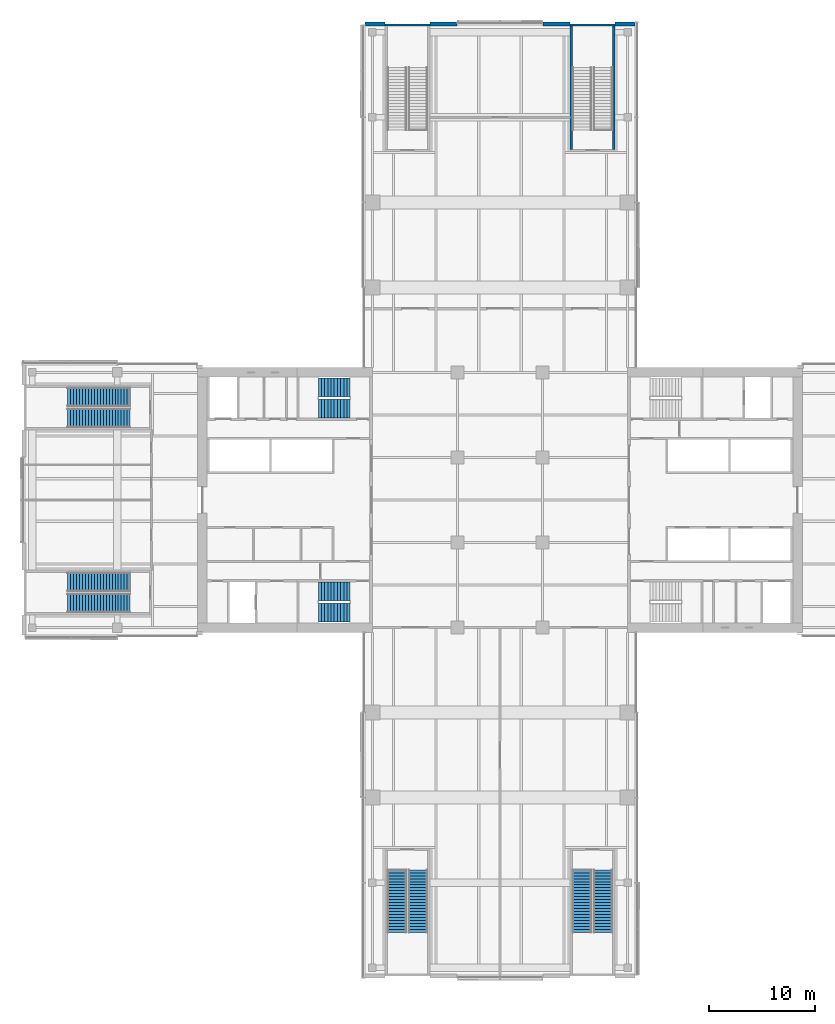
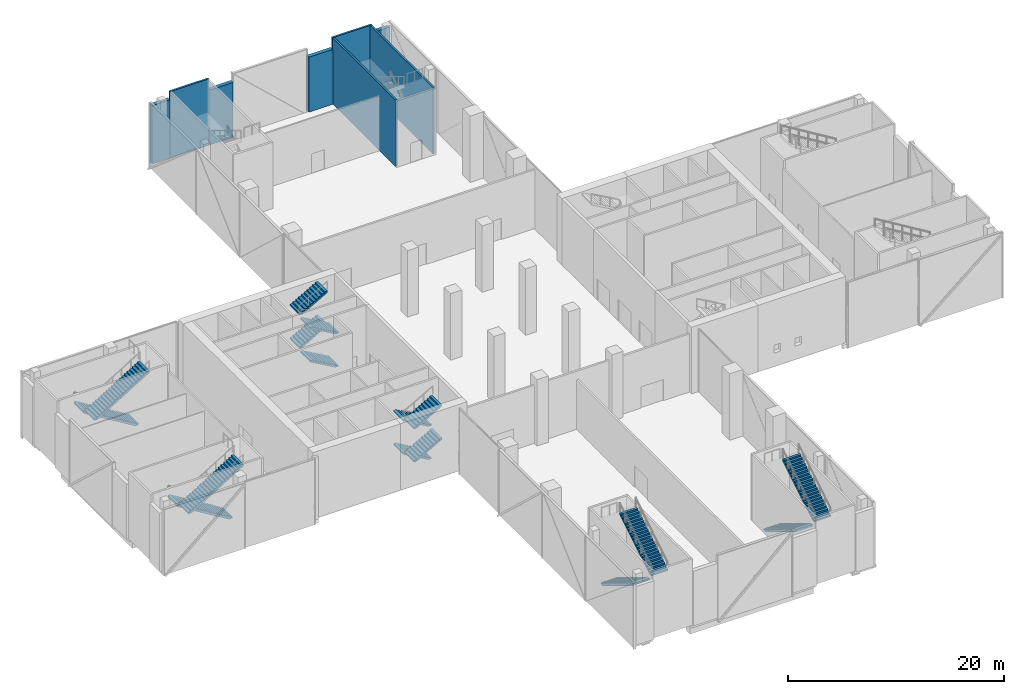
# One storey, part 18 of 25: 16 stair flights, 8 walls, 6 elements without a shape of their own.
"""IFC4 building model written with IfcOpenShell, lengths in metres."""

from ifc_helpers import new_model, si_unit, direction, frame, frame_2d, origin, place, context, subcontext, project, spatial, polyline, rectangle, outline, extrude, material, layer, layer_set, type_object, element, aggregate, save


model = new_model("IFC4")

# Units and contexts
model_context = context("Model", 3, precision=1e-05, world=origin(), true_north=direction((0.0, 1.0)))
body_context = subcontext(model_context, "Body", "Model", "MODEL_VIEW")
ifc_project = project(units=[si_unit("LENGTHUNIT", "METRE"), si_unit("AREAUNIT", "SQUARE_METRE"), si_unit("VOLUMEUNIT", "CUBIC_METRE"), si_unit("PLANEANGLEUNIT", "RADIAN"), si_unit("MASSUNIT", "GRAM", prefix="KILO")], contexts=[model_context])

# Site, building, storey
site_placement = place(None, origin())
site = spatial("IfcSite", under=ifc_project, at=site_placement, CompositionType="ELEMENT")
building_placement = place(site_placement, origin())
building = spatial("IfcBuilding", under=site, at=building_placement, Name="Crosswind Convention Tower", CompositionType="ELEMENT")
storey_placement = place(building_placement, frame((0.0, 0.0, 34.0)))
storey = spatial("IfcBuildingStorey", under=building, at=storey_placement, Name="L04", CompositionType="ELEMENT", Elevation=34.0)

# Walls
ifc_material_1 = material(Name="Concrete C40/50", Category="concrete")
ifc_layer_1 = layer(ifc_material_1, 0.199951171875)
ifc_layer_set_1 = layer_set([ifc_layer_1], Name="Concrete C40/50")
wall_type_1 = type_object("IfcWallType", Name="STAIR ENCLOSURE WALL 200", PredefinedType="SOLIDWALL", material=ifc_layer_set_1)
for number, where, z_axis, x_axis, name in (
    (1, (114.199951171875, 144.699951171875, 0.0), (0.0, 0.0, 1.0), (1.0, 0.0, 0.0), "Stair Enclosure Wall 23"),
    (2, (131.60009765625, 144.699951171875, 0.0), (0.0, 0.0, 1.0), (1.0, 0.0, 0.0), "Stair Enclosure Wall 24"),
):
    element("IfcWall", number, at=place(storey_placement, frame(where, z_axis=z_axis, x_axis=x_axis)), inside=storey, type_object=wall_type_1, Name=name, PredefinedType="SOLIDWALL", context=body_context, shape_type="SweptSolid", body=[
        extrude(rectangle(XDim=4.199951171875, YDim=0.199951171875, at=frame_2d((2.10009765625, 0.0))), origin(), (0.0, 0.0, 1.0), 7.5),
    ])
for number, where, z_axis, x_axis, name in (
    (3, (131.699951171875, 133.0, 0.0), (0.0, 0.0, 1.0), (0.0, 1.0, 0.0), "Stair Enclosure Wall 36"),
    (4, (135.699951171875, 133.0, 0.0), (0.0, 0.0, 1.0), (0.0, 1.0, 0.0), "Stair Enclosure Wall 38"),
):
    element("IfcWall", number, at=place(storey_placement, frame(where, z_axis=z_axis, x_axis=x_axis)), inside=storey, type_object=wall_type_1, Name=name, PredefinedType="SOLIDWALL", context=body_context, shape_type="SweptSolid", body=[
        extrude(rectangle(XDim=11.60009765625, YDim=0.199951171875, at=frame_2d((5.800048828125, 0.0))), origin(), (0.0, 0.0, 1.0), 7.5),
    ])
ifc_material_2 = material(Name="Terracotta rainscreen", Category="ceramic")
ifc_layer_2 = layer(ifc_material_2, 0.02001953125)
ifc_material_3 = material(Name="Mineral wool insulation", Category="insulation")
ifc_layer_3 = layer(ifc_material_3, 0.10009765625)
ifc_material_4 = material(Name="Concrete blockwork", Category="masonry")
ifc_layer_4 = layer(ifc_material_4, 0.280029296875)
ifc_layer_set_2 = layer_set([ifc_layer_2, ifc_layer_3, ifc_layer_4], Name="TERRACOTTA INFILL WALL 400")
wall_type_2 = type_object("IfcWallType", Name="TERRACOTTA INFILL WALL 400", PredefinedType="SOLIDWALL", material=ifc_layer_set_2)
wall_1_placement = place(storey_placement, frame((137.699951171875, 144.784912109375, 0.0), z_axis=(0.0, 0.0, 1.0), x_axis=(-1.0, 0.0, 0.0)))
element("IfcWall", 5, at=wall_1_placement, inside=storey, type_object=wall_type_2, Name="Stair enclosure side wall L04 N-TIP.1-1.1", PredefinedType="SOLIDWALL", context=body_context, shape_type="SweptSolid", body=[
    extrude(rectangle(XDim=1.89990234375, YDim=0.39990234375, at=frame_2d((0.949951171875, 0.0))), origin(), (0.0, 0.0, 1.0), 6.60009765625),
])
for number, where, z_axis, x_axis, name in (
    (6, (131.60009765625, 144.784912109375, 0.0), (0.0, 0.0, 1.0), (-1.0, 0.0, 0.0), "Stair enclosure side wall L04 N-TIP.1-1.2"),
    (7, (120.9599609375, 144.784912109375, 0.0), (0.0, 0.0, 1.0), (-1.0, 0.0, 0.0), "Stair enclosure side wall L04 N-TIP.1-3.1"),
):
    element("IfcWall", number, at=place(storey_placement, frame(where, z_axis=z_axis, x_axis=x_axis)), inside=storey, type_object=wall_type_2, Name=name, PredefinedType="SOLIDWALL", context=body_context, shape_type="SweptSolid", body=[
        extrude(rectangle(XDim=2.56005859375, YDim=0.39990234375, at=frame_2d((1.280029296875, 0.0))), origin(), (0.0, 0.0, 1.0), 6.199951171875),
    ])
wall_2_placement = place(storey_placement, frame((114.199951171875, 144.784912109375, 0.0), z_axis=(0.0, 0.0, 1.0), x_axis=(-1.0, 0.0, 0.0)))
element("IfcWall", 8, at=wall_2_placement, inside=storey, type_object=wall_type_2, Name="Stair enclosure side wall L04 N-TIP.1-3.2", PredefinedType="SOLIDWALL", context=body_context, shape_type="SweptSolid", body=[
    extrude(rectangle(XDim=1.89990234375, YDim=0.39990234375, at=frame_2d((0.949951171875, 0.0))), origin(), (0.0, 0.0, 1.0), 6.60009765625),
])

# Stair, stair flights
stair_type_1 = type_object("IfcStairType", Name="PODIUM EXIT STAIR 7500 RISE", PredefinedType="HALF_TURN_STAIR", material=ifc_material_1)
stair_1_placement = place(storey_placement, origin())
stair_1 = element("IfcStair", 9, at=stair_1_placement, inside=storey, type_object=stair_type_1, Name="Exit stair S1 L04", ObjectType="ST11", PredefinedType="HALF_TURN_STAIR")
stair_flight_type_1 = type_object("IfcStairFlightType", Name="PODIUM STAIR FLIGHT 22 RISERS", PredefinedType="STRAIGHT", material=ifc_material_1)
stair_flight_1_placement = place(storey_placement, frame((115.300048828125, 65.199951171875, 0.0), z_axis=(0.0, 0.0, 1.0), x_axis=(0.0, -1.0, 0.0)))
stair_flight_1 = element("IfcStairFlight", 10, at=stair_flight_1_placement, type_object=stair_flight_type_1, Name="ST11 flight 1", NumberOfRisers=22, NumberOfTreads=21, PredefinedType="STRAIGHT", RiserHeight=0.170455, TreadLength=0.28, context=body_context, shape_type="SweptSolid", body=[
    extrude(outline(polyline([(0.0, 0.0), (0.0, 0.17041015625), (0.280029296875, 0.17041015625), (0.280029296875, 0.3408203125), (0.56005859375, 0.3408203125), (0.56005859375, 0.511474609375), (0.840087890625, 0.511474609375), (0.840087890625, 0.681884765625), (1.1201171875, 0.681884765625), (1.1201171875, 0.852294921875), (1.39990234375, 0.852294921875), (1.39990234375, 1.022705078125), (1.679931640625, 1.022705078125), (1.679931640625, 1.193115234375), (1.9599609375, 1.193115234375), (1.9599609375, 1.363525390625), (2.239990234375, 1.363525390625), (2.239990234375, 1.5341796875), (2.52001953125, 1.5341796875), (2.52001953125, 1.70458984375), (2.800048828125, 1.70458984375), (2.800048828125, 1.875), (3.080078125, 1.875), (3.080078125, 2.04541015625), (3.360107421875, 2.04541015625), (3.360107421875, 2.2158203125), (3.639892578125, 2.2158203125), (3.639892578125, 2.386474609375), (3.919921875, 2.386474609375), (3.919921875, 2.556884765625), (4.199951171875, 2.556884765625), (4.199951171875, 2.727294921875), (4.47998046875, 2.727294921875), (4.47998046875, 2.897705078125), (4.760009765625, 2.897705078125), (4.760009765625, 3.068115234375), (5.0400390625, 3.068115234375), (5.0400390625, 3.238525390625), (5.320068359375, 3.238525390625), (5.320068359375, 3.4091796875), (5.60009765625, 3.4091796875), (5.60009765625, 3.57958984375), (5.8798828125, 3.57958984375), (5.8798828125, 3.75), (5.8798828125, 3.345458984375), (0.384521484375, 0.0), (0.0, 0.0)])), frame((0.0, 0.89990234375, 0.0), z_axis=(0.0, -1.0, 0.0), x_axis=(1.0, 0.0, 0.0)), (0.0, 0.0, 1.0), 1.800048828125),
])
stair_flight_2_placement = place(storey_placement, frame((117.300048828125, 59.320068359375, 3.75), z_axis=(0.0, 0.0, 1.0), x_axis=(0.0, 1.0, 0.0)))
stair_flight_2 = element("IfcStairFlight", 11, at=stair_flight_2_placement, type_object=stair_flight_type_1, Name="ST11 flight 2", NumberOfRisers=22, NumberOfTreads=21, PredefinedType="STRAIGHT", RiserHeight=0.170455, TreadLength=0.28, context=body_context, shape_type="SweptSolid", body=[
    extrude(outline(polyline([(0.0, 0.0), (0.0, 0.17041015625), (0.280029296875, 0.17041015625), (0.280029296875, 0.3408203125), (0.56005859375, 0.3408203125), (0.56005859375, 0.511474609375), (0.840087890625, 0.511474609375), (0.840087890625, 0.681884765625), (1.1201171875, 0.681884765625), (1.1201171875, 0.852294921875), (1.39990234375, 0.852294921875), (1.39990234375, 1.022705078125), (1.679931640625, 1.022705078125), (1.679931640625, 1.193115234375), (1.9599609375, 1.193115234375), (1.9599609375, 1.363525390625), (2.239990234375, 1.363525390625), (2.239990234375, 1.5341796875), (2.52001953125, 1.5341796875), (2.52001953125, 1.70458984375), (2.800048828125, 1.70458984375), (2.800048828125, 1.875), (3.080078125, 1.875), (3.080078125, 2.04541015625), (3.360107421875, 2.04541015625), (3.360107421875, 2.2158203125), (3.639892578125, 2.2158203125), (3.639892578125, 2.386474609375), (3.919921875, 2.386474609375), (3.919921875, 2.556884765625), (4.199951171875, 2.556884765625), (4.199951171875, 2.727294921875), (4.47998046875, 2.727294921875), (4.47998046875, 2.897705078125), (4.760009765625, 2.897705078125), (4.760009765625, 3.068115234375), (5.0400390625, 3.068115234375), (5.0400390625, 3.238525390625), (5.320068359375, 3.238525390625), (5.320068359375, 3.4091796875), (5.60009765625, 3.4091796875), (5.60009765625, 3.57958984375), (5.8798828125, 3.57958984375), (5.8798828125, 3.75), (5.8798828125, 3.345458984375), (0.384521484375, 0.0), (0.0, 0.0)])), frame((0.0, 0.89990234375, 0.0), z_axis=(0.0, -1.0, 0.0), x_axis=(1.0, 0.0, 0.0)), (0.0, 0.0, 1.0), 1.800048828125),
])
aggregate(stair_1, [stair_flight_1, stair_flight_2])

stair_2_placement = place(storey_placement, origin())
stair_2 = element("IfcStair", 12, at=stair_2_placement, inside=storey, type_object=stair_type_1, Name="Exit stair S2 L04", ObjectType="ST11", PredefinedType="HALF_TURN_STAIR")
stair_flight_3_placement = place(storey_placement, frame((132.699951171875, 65.199951171875, 0.0), z_axis=(0.0, 0.0, 1.0), x_axis=(0.0, -1.0, 0.0)))
stair_flight_3 = element("IfcStairFlight", 13, at=stair_flight_3_placement, type_object=stair_flight_type_1, Name="ST11 flight 1", NumberOfRisers=22, NumberOfTreads=21, PredefinedType="STRAIGHT", RiserHeight=0.170455, TreadLength=0.28, context=body_context, shape_type="SweptSolid", body=[
    extrude(outline(polyline([(0.0, 0.0), (0.0, 0.17041015625), (0.280029296875, 0.17041015625), (0.280029296875, 0.3408203125), (0.56005859375, 0.3408203125), (0.56005859375, 0.511474609375), (0.840087890625, 0.511474609375), (0.840087890625, 0.681884765625), (1.1201171875, 0.681884765625), (1.1201171875, 0.852294921875), (1.39990234375, 0.852294921875), (1.39990234375, 1.022705078125), (1.679931640625, 1.022705078125), (1.679931640625, 1.193115234375), (1.9599609375, 1.193115234375), (1.9599609375, 1.363525390625), (2.239990234375, 1.363525390625), (2.239990234375, 1.5341796875), (2.52001953125, 1.5341796875), (2.52001953125, 1.70458984375), (2.800048828125, 1.70458984375), (2.800048828125, 1.875), (3.080078125, 1.875), (3.080078125, 2.04541015625), (3.360107421875, 2.04541015625), (3.360107421875, 2.2158203125), (3.639892578125, 2.2158203125), (3.639892578125, 2.386474609375), (3.919921875, 2.386474609375), (3.919921875, 2.556884765625), (4.199951171875, 2.556884765625), (4.199951171875, 2.727294921875), (4.47998046875, 2.727294921875), (4.47998046875, 2.897705078125), (4.760009765625, 2.897705078125), (4.760009765625, 3.068115234375), (5.0400390625, 3.068115234375), (5.0400390625, 3.238525390625), (5.320068359375, 3.238525390625), (5.320068359375, 3.4091796875), (5.60009765625, 3.4091796875), (5.60009765625, 3.57958984375), (5.8798828125, 3.57958984375), (5.8798828125, 3.75), (5.8798828125, 3.345458984375), (0.384521484375, 0.0), (0.0, 0.0)])), frame((0.0, 0.89990234375, 0.0), z_axis=(0.0, -1.0, 0.0), x_axis=(1.0, 0.0, 0.0)), (0.0, 0.0, 1.0), 1.800048828125),
])
stair_flight_4_placement = place(storey_placement, frame((134.699951171875, 59.320068359375, 3.75), z_axis=(0.0, 0.0, 1.0), x_axis=(0.0, 1.0, 0.0)))
stair_flight_4 = element("IfcStairFlight", 14, at=stair_flight_4_placement, type_object=stair_flight_type_1, Name="ST11 flight 2", NumberOfRisers=22, NumberOfTreads=21, PredefinedType="STRAIGHT", RiserHeight=0.170455, TreadLength=0.28, context=body_context, shape_type="SweptSolid", body=[
    extrude(outline(polyline([(0.0, 0.0), (0.0, 0.17041015625), (0.280029296875, 0.17041015625), (0.280029296875, 0.3408203125), (0.56005859375, 0.3408203125), (0.56005859375, 0.511474609375), (0.840087890625, 0.511474609375), (0.840087890625, 0.681884765625), (1.1201171875, 0.681884765625), (1.1201171875, 0.852294921875), (1.39990234375, 0.852294921875), (1.39990234375, 1.022705078125), (1.679931640625, 1.022705078125), (1.679931640625, 1.193115234375), (1.9599609375, 1.193115234375), (1.9599609375, 1.363525390625), (2.239990234375, 1.363525390625), (2.239990234375, 1.5341796875), (2.52001953125, 1.5341796875), (2.52001953125, 1.70458984375), (2.800048828125, 1.70458984375), (2.800048828125, 1.875), (3.080078125, 1.875), (3.080078125, 2.04541015625), (3.360107421875, 2.04541015625), (3.360107421875, 2.2158203125), (3.639892578125, 2.2158203125), (3.639892578125, 2.386474609375), (3.919921875, 2.386474609375), (3.919921875, 2.556884765625), (4.199951171875, 2.556884765625), (4.199951171875, 2.727294921875), (4.47998046875, 2.727294921875), (4.47998046875, 2.897705078125), (4.760009765625, 2.897705078125), (4.760009765625, 3.068115234375), (5.0400390625, 3.068115234375), (5.0400390625, 3.238525390625), (5.320068359375, 3.238525390625), (5.320068359375, 3.4091796875), (5.60009765625, 3.4091796875), (5.60009765625, 3.57958984375), (5.8798828125, 3.57958984375), (5.8798828125, 3.75), (5.8798828125, 3.345458984375), (0.384521484375, 0.0), (0.0, 0.0)])), frame((0.0, 0.89990234375, 0.0), z_axis=(0.0, -1.0, 0.0), x_axis=(1.0, 0.0, 0.0)), (0.0, 0.0, 1.0), 1.800048828125),
])
aggregate(stair_2, [stair_flight_3, stair_flight_4])

stair_3_placement = place(storey_placement, origin())
stair_3 = element("IfcStair", 15, at=stair_3_placement, inside=storey, type_object=stair_type_1, Name="Exit stair W1 L04", ObjectType="ST11", PredefinedType="HALF_TURN_STAIR")
stair_flight_5_placement = place(storey_placement, frame((90.199951171875, 92.300048828125, 0.0), z_axis=(0.0, 0.0, 1.0), x_axis=(-1.0, 0.0, 0.0)))
stair_flight_5 = element("IfcStairFlight", 16, at=stair_flight_5_placement, type_object=stair_flight_type_1, Name="ST11 flight 1", NumberOfRisers=22, NumberOfTreads=21, PredefinedType="STRAIGHT", RiserHeight=0.170455, TreadLength=0.28, context=body_context, shape_type="SweptSolid", body=[
    extrude(outline(polyline([(0.0, 0.0), (0.0, 0.17041015625), (0.280029296875, 0.17041015625), (0.280029296875, 0.3408203125), (0.56005859375, 0.3408203125), (0.56005859375, 0.511474609375), (0.840087890625, 0.511474609375), (0.840087890625, 0.681884765625), (1.1201171875, 0.681884765625), (1.1201171875, 0.852294921875), (1.39990234375, 0.852294921875), (1.39990234375, 1.022705078125), (1.679931640625, 1.022705078125), (1.679931640625, 1.193115234375), (1.9599609375, 1.193115234375), (1.9599609375, 1.363525390625), (2.239990234375, 1.363525390625), (2.239990234375, 1.5341796875), (2.52001953125, 1.5341796875), (2.52001953125, 1.70458984375), (2.800048828125, 1.70458984375), (2.800048828125, 1.875), (3.080078125, 1.875), (3.080078125, 2.04541015625), (3.360107421875, 2.04541015625), (3.360107421875, 2.2158203125), (3.639892578125, 2.2158203125), (3.639892578125, 2.386474609375), (3.919921875, 2.386474609375), (3.919921875, 2.556884765625), (4.199951171875, 2.556884765625), (4.199951171875, 2.727294921875), (4.47998046875, 2.727294921875), (4.47998046875, 2.897705078125), (4.760009765625, 2.897705078125), (4.760009765625, 3.068115234375), (5.0400390625, 3.068115234375), (5.0400390625, 3.238525390625), (5.320068359375, 3.238525390625), (5.320068359375, 3.4091796875), (5.60009765625, 3.4091796875), (5.60009765625, 3.57958984375), (5.8798828125, 3.57958984375), (5.8798828125, 3.75), (5.8798828125, 3.345458984375), (0.384521484375, 0.0), (0.0, 0.0)])), frame((0.0, 0.89990234375, 0.0), z_axis=(0.0, -1.0, 0.0), x_axis=(1.0, 0.0, 0.0)), (0.0, 0.0, 1.0), 1.800048828125),
])
stair_flight_6_placement = place(storey_placement, frame((84.320068359375, 90.300048828125, 3.75), z_axis=(0.0, 0.0, 1.0), x_axis=(1.0, 0.0, 0.0)))
stair_flight_6 = element("IfcStairFlight", 17, at=stair_flight_6_placement, type_object=stair_flight_type_1, Name="ST11 flight 2", NumberOfRisers=22, NumberOfTreads=21, PredefinedType="STRAIGHT", RiserHeight=0.170455, TreadLength=0.28, context=body_context, shape_type="SweptSolid", body=[
    extrude(outline(polyline([(0.0, 0.0), (0.0, 0.17041015625), (0.280029296875, 0.17041015625), (0.280029296875, 0.3408203125), (0.56005859375, 0.3408203125), (0.56005859375, 0.511474609375), (0.840087890625, 0.511474609375), (0.840087890625, 0.681884765625), (1.1201171875, 0.681884765625), (1.1201171875, 0.852294921875), (1.39990234375, 0.852294921875), (1.39990234375, 1.022705078125), (1.679931640625, 1.022705078125), (1.679931640625, 1.193115234375), (1.9599609375, 1.193115234375), (1.9599609375, 1.363525390625), (2.239990234375, 1.363525390625), (2.239990234375, 1.5341796875), (2.52001953125, 1.5341796875), (2.52001953125, 1.70458984375), (2.800048828125, 1.70458984375), (2.800048828125, 1.875), (3.080078125, 1.875), (3.080078125, 2.04541015625), (3.360107421875, 2.04541015625), (3.360107421875, 2.2158203125), (3.639892578125, 2.2158203125), (3.639892578125, 2.386474609375), (3.919921875, 2.386474609375), (3.919921875, 2.556884765625), (4.199951171875, 2.556884765625), (4.199951171875, 2.727294921875), (4.47998046875, 2.727294921875), (4.47998046875, 2.897705078125), (4.760009765625, 2.897705078125), (4.760009765625, 3.068115234375), (5.0400390625, 3.068115234375), (5.0400390625, 3.238525390625), (5.320068359375, 3.238525390625), (5.320068359375, 3.4091796875), (5.60009765625, 3.4091796875), (5.60009765625, 3.57958984375), (5.8798828125, 3.57958984375), (5.8798828125, 3.75), (5.8798828125, 3.345458984375), (0.384521484375, 0.0), (0.0, 0.0)])), frame((0.0, 0.89990234375, 0.0), z_axis=(0.0, -1.0, 0.0), x_axis=(1.0, 0.0, 0.0)), (0.0, 0.0, 1.0), 1.800048828125),
])
aggregate(stair_3, [stair_flight_5, stair_flight_6])

stair_4_placement = place(storey_placement, origin())
stair_4 = element("IfcStair", 18, at=stair_4_placement, inside=storey, type_object=stair_type_1, Name="Exit stair W2 L04", ObjectType="ST11", PredefinedType="HALF_TURN_STAIR")
stair_flight_7_placement = place(storey_placement, frame((90.199951171875, 109.699951171875, 0.0), z_axis=(0.0, 0.0, 1.0), x_axis=(-1.0, 0.0, 0.0)))
stair_flight_7 = element("IfcStairFlight", 19, at=stair_flight_7_placement, type_object=stair_flight_type_1, Name="ST11 flight 1", NumberOfRisers=22, NumberOfTreads=21, PredefinedType="STRAIGHT", RiserHeight=0.170455, TreadLength=0.28, context=body_context, shape_type="SweptSolid", body=[
    extrude(outline(polyline([(0.0, 0.0), (0.0, 0.17041015625), (0.280029296875, 0.17041015625), (0.280029296875, 0.3408203125), (0.56005859375, 0.3408203125), (0.56005859375, 0.511474609375), (0.840087890625, 0.511474609375), (0.840087890625, 0.681884765625), (1.1201171875, 0.681884765625), (1.1201171875, 0.852294921875), (1.39990234375, 0.852294921875), (1.39990234375, 1.022705078125), (1.679931640625, 1.022705078125), (1.679931640625, 1.193115234375), (1.9599609375, 1.193115234375), (1.9599609375, 1.363525390625), (2.239990234375, 1.363525390625), (2.239990234375, 1.5341796875), (2.52001953125, 1.5341796875), (2.52001953125, 1.70458984375), (2.800048828125, 1.70458984375), (2.800048828125, 1.875), (3.080078125, 1.875), (3.080078125, 2.04541015625), (3.360107421875, 2.04541015625), (3.360107421875, 2.2158203125), (3.639892578125, 2.2158203125), (3.639892578125, 2.386474609375), (3.919921875, 2.386474609375), (3.919921875, 2.556884765625), (4.199951171875, 2.556884765625), (4.199951171875, 2.727294921875), (4.47998046875, 2.727294921875), (4.47998046875, 2.897705078125), (4.760009765625, 2.897705078125), (4.760009765625, 3.068115234375), (5.0400390625, 3.068115234375), (5.0400390625, 3.238525390625), (5.320068359375, 3.238525390625), (5.320068359375, 3.4091796875), (5.60009765625, 3.4091796875), (5.60009765625, 3.57958984375), (5.8798828125, 3.57958984375), (5.8798828125, 3.75), (5.8798828125, 3.345458984375), (0.384521484375, 0.0), (0.0, 0.0)])), frame((0.0, 0.89990234375, 0.0), z_axis=(0.0, -1.0, 0.0), x_axis=(1.0, 0.0, 0.0)), (0.0, 0.0, 1.0), 1.800048828125),
])
stair_flight_8_placement = place(storey_placement, frame((84.320068359375, 107.699951171875, 3.75), z_axis=(0.0, 0.0, 1.0), x_axis=(1.0, 0.0, 0.0)))
stair_flight_8 = element("IfcStairFlight", 20, at=stair_flight_8_placement, type_object=stair_flight_type_1, Name="ST11 flight 2", NumberOfRisers=22, NumberOfTreads=21, PredefinedType="STRAIGHT", RiserHeight=0.170455, TreadLength=0.28, context=body_context, shape_type="SweptSolid", body=[
    extrude(outline(polyline([(0.0, 0.0), (0.0, 0.17041015625), (0.280029296875, 0.17041015625), (0.280029296875, 0.3408203125), (0.56005859375, 0.3408203125), (0.56005859375, 0.511474609375), (0.840087890625, 0.511474609375), (0.840087890625, 0.681884765625), (1.1201171875, 0.681884765625), (1.1201171875, 0.852294921875), (1.39990234375, 0.852294921875), (1.39990234375, 1.022705078125), (1.679931640625, 1.022705078125), (1.679931640625, 1.193115234375), (1.9599609375, 1.193115234375), (1.9599609375, 1.363525390625), (2.239990234375, 1.363525390625), (2.239990234375, 1.5341796875), (2.52001953125, 1.5341796875), (2.52001953125, 1.70458984375), (2.800048828125, 1.70458984375), (2.800048828125, 1.875), (3.080078125, 1.875), (3.080078125, 2.04541015625), (3.360107421875, 2.04541015625), (3.360107421875, 2.2158203125), (3.639892578125, 2.2158203125), (3.639892578125, 2.386474609375), (3.919921875, 2.386474609375), (3.919921875, 2.556884765625), (4.199951171875, 2.556884765625), (4.199951171875, 2.727294921875), (4.47998046875, 2.727294921875), (4.47998046875, 2.897705078125), (4.760009765625, 2.897705078125), (4.760009765625, 3.068115234375), (5.0400390625, 3.068115234375), (5.0400390625, 3.238525390625), (5.320068359375, 3.238525390625), (5.320068359375, 3.4091796875), (5.60009765625, 3.4091796875), (5.60009765625, 3.57958984375), (5.8798828125, 3.57958984375), (5.8798828125, 3.75), (5.8798828125, 3.345458984375), (0.384521484375, 0.0), (0.0, 0.0)])), frame((0.0, 0.89990234375, 0.0), z_axis=(0.0, -1.0, 0.0), x_axis=(1.0, 0.0, 0.0)), (0.0, 0.0, 1.0), 1.800048828125),
])
aggregate(stair_4, [stair_flight_7, stair_flight_8])

stair_type_2 = type_object("IfcStairType", Name="Exit stair 1800 wide, 4 flights of 11 risers", PredefinedType="HALF_TURN_STAIR", material=ifc_material_1)
stair_5_placement = place(storey_placement, origin())
stair_5 = element("IfcStair", 21, at=stair_5_placement, inside=storey, type_object=stair_type_2, Name="Exit stair ST3 L04", ObjectType="ST6", PredefinedType="HALF_TURN_STAIR")
stair_flight_type_2 = type_object("IfcStairFlightType", Name="Stair flight 1800 wide, 11 risers (SF3)", PredefinedType="STRAIGHT", material=ifc_material_1)
stair_flight_9_placement = place(storey_placement, frame((110.89990234375, 91.39990234375, 0.0), z_axis=(0.0, 0.0, 1.0), x_axis=(-1.0, 0.0, 0.0)))
stair_flight_9 = element("IfcStairFlight", 22, at=stair_flight_9_placement, type_object=stair_flight_type_2, Name="ST3 flight 1", NumberOfRisers=11, NumberOfTreads=10, PredefinedType="STRAIGHT", RiserHeight=0.170454545, TreadLength=0.3, context=body_context, shape_type="SweptSolid", body=[
    extrude(outline(polyline([(0.0, 0.0), (0.0, 0.17041015625), (0.300048828125, 0.17041015625), (0.300048828125, 0.3408203125), (0.60009765625, 0.3408203125), (0.60009765625, 0.511474609375), (0.89990234375, 0.511474609375), (0.89990234375, 0.681884765625), (1.199951171875, 0.681884765625), (1.199951171875, 0.852294921875), (1.5, 0.852294921875), (1.5, 1.022705078125), (1.800048828125, 1.022705078125), (1.800048828125, 1.193115234375), (2.10009765625, 1.193115234375), (2.10009765625, 1.363525390625), (2.39990234375, 1.363525390625), (2.39990234375, 1.5341796875), (2.699951171875, 1.5341796875), (2.699951171875, 1.70458984375), (3.0, 1.70458984375), (3.0, 1.875), (3.0, 1.5322265625), (0.303466796875, 0.0), (0.0, 0.0)])), frame((0.0, 0.89990234375, 0.0), z_axis=(0.0, -1.0, 0.0), x_axis=(1.0, 0.0, 0.0)), (0.0, 0.0, 1.0), 1.800048828125),
])
stair_flight_10_placement = place(storey_placement, frame((107.89990234375, 89.39990234375, 1.875), z_axis=(0.0, 0.0, 1.0), x_axis=(1.0, 0.0, 0.0)))
stair_flight_10 = element("IfcStairFlight", 23, at=stair_flight_10_placement, type_object=stair_flight_type_2, Name="ST3 flight 2", NumberOfRisers=11, NumberOfTreads=10, PredefinedType="STRAIGHT", RiserHeight=0.170454545, TreadLength=0.3, context=body_context, shape_type="SweptSolid", body=[
    extrude(outline(polyline([(0.0, 0.0), (0.0, 0.17041015625), (0.300048828125, 0.17041015625), (0.300048828125, 0.3408203125), (0.60009765625, 0.3408203125), (0.60009765625, 0.511474609375), (0.89990234375, 0.511474609375), (0.89990234375, 0.681884765625), (1.199951171875, 0.681884765625), (1.199951171875, 0.852294921875), (1.5, 0.852294921875), (1.5, 1.022705078125), (1.800048828125, 1.022705078125), (1.800048828125, 1.193115234375), (2.10009765625, 1.193115234375), (2.10009765625, 1.363525390625), (2.39990234375, 1.363525390625), (2.39990234375, 1.5341796875), (2.699951171875, 1.5341796875), (2.699951171875, 1.70458984375), (3.0, 1.70458984375), (3.0, 1.875), (3.0, 1.5322265625), (0.303466796875, 0.0), (0.0, 0.0)])), frame((0.0, 0.89990234375, 0.0), z_axis=(0.0, -1.0, 0.0), x_axis=(1.0, 0.0, 0.0)), (0.0, 0.0, 1.0), 1.800048828125),
])
stair_flight_11_placement = place(storey_placement, frame((110.89990234375, 91.39990234375, 3.75), z_axis=(0.0, 0.0, 1.0), x_axis=(-1.0, 0.0, 0.0)))
stair_flight_11 = element("IfcStairFlight", 24, at=stair_flight_11_placement, type_object=stair_flight_type_2, Name="ST3 flight 3", NumberOfRisers=11, NumberOfTreads=10, PredefinedType="STRAIGHT", RiserHeight=0.170454545, TreadLength=0.3, context=body_context, shape_type="SweptSolid", body=[
    extrude(outline(polyline([(0.0, 0.0), (0.0, 0.17041015625), (0.300048828125, 0.17041015625), (0.300048828125, 0.3408203125), (0.60009765625, 0.3408203125), (0.60009765625, 0.511474609375), (0.89990234375, 0.511474609375), (0.89990234375, 0.681884765625), (1.199951171875, 0.681884765625), (1.199951171875, 0.852294921875), (1.5, 0.852294921875), (1.5, 1.022705078125), (1.800048828125, 1.022705078125), (1.800048828125, 1.193115234375), (2.10009765625, 1.193115234375), (2.10009765625, 1.363525390625), (2.39990234375, 1.363525390625), (2.39990234375, 1.5341796875), (2.699951171875, 1.5341796875), (2.699951171875, 1.70458984375), (3.0, 1.70458984375), (3.0, 1.875), (3.0, 1.5322265625), (0.303466796875, 0.0), (0.0, 0.0)])), frame((0.0, 0.89990234375, 0.0), z_axis=(0.0, -1.0, 0.0), x_axis=(1.0, 0.0, 0.0)), (0.0, 0.0, 1.0), 1.800048828125),
])
stair_flight_12_placement = place(storey_placement, frame((107.89990234375, 89.39990234375, 5.625), z_axis=(0.0, 0.0, 1.0), x_axis=(1.0, 0.0, 0.0)))
stair_flight_12 = element("IfcStairFlight", 25, at=stair_flight_12_placement, type_object=stair_flight_type_2, Name="ST3 flight 4", NumberOfRisers=11, NumberOfTreads=10, PredefinedType="STRAIGHT", RiserHeight=0.170454545, TreadLength=0.3, context=body_context, shape_type="SweptSolid", body=[
    extrude(outline(polyline([(0.0, 0.0), (0.0, 0.17041015625), (0.300048828125, 0.17041015625), (0.300048828125, 0.3408203125), (0.60009765625, 0.3408203125), (0.60009765625, 0.511474609375), (0.89990234375, 0.511474609375), (0.89990234375, 0.681884765625), (1.199951171875, 0.681884765625), (1.199951171875, 0.852294921875), (1.5, 0.852294921875), (1.5, 1.022705078125), (1.800048828125, 1.022705078125), (1.800048828125, 1.193115234375), (2.10009765625, 1.193115234375), (2.10009765625, 1.363525390625), (2.39990234375, 1.363525390625), (2.39990234375, 1.5341796875), (2.699951171875, 1.5341796875), (2.699951171875, 1.70458984375), (3.0, 1.70458984375), (3.0, 1.875), (3.0, 1.5322265625), (0.303466796875, 0.0), (0.0, 0.0)])), frame((0.0, 0.89990234375, 0.0), z_axis=(0.0, -1.0, 0.0), x_axis=(1.0, 0.0, 0.0)), (0.0, 0.0, 1.0), 1.800048828125),
])
aggregate(stair_5, [stair_flight_9, stair_flight_10, stair_flight_11, stair_flight_12])

stair_6_placement = place(storey_placement, origin())
stair_6 = element("IfcStair", 26, at=stair_6_placement, inside=storey, type_object=stair_type_2, Name="Exit stair ST4 L04", ObjectType="ST6", PredefinedType="HALF_TURN_STAIR")
stair_flight_13_placement = place(storey_placement, frame((110.89990234375, 108.60009765625, 0.0), z_axis=(0.0, 0.0, 1.0), x_axis=(-1.0, 0.0, 0.0)))
stair_flight_13 = element("IfcStairFlight", 27, at=stair_flight_13_placement, type_object=stair_flight_type_2, Name="ST4 flight 1", NumberOfRisers=11, NumberOfTreads=10, PredefinedType="STRAIGHT", RiserHeight=0.170454545, TreadLength=0.3, context=body_context, shape_type="SweptSolid", body=[
    extrude(outline(polyline([(0.0, 0.0), (0.0, 0.17041015625), (0.300048828125, 0.17041015625), (0.300048828125, 0.3408203125), (0.60009765625, 0.3408203125), (0.60009765625, 0.511474609375), (0.89990234375, 0.511474609375), (0.89990234375, 0.681884765625), (1.199951171875, 0.681884765625), (1.199951171875, 0.852294921875), (1.5, 0.852294921875), (1.5, 1.022705078125), (1.800048828125, 1.022705078125), (1.800048828125, 1.193115234375), (2.10009765625, 1.193115234375), (2.10009765625, 1.363525390625), (2.39990234375, 1.363525390625), (2.39990234375, 1.5341796875), (2.699951171875, 1.5341796875), (2.699951171875, 1.70458984375), (3.0, 1.70458984375), (3.0, 1.875), (3.0, 1.5322265625), (0.303466796875, 0.0), (0.0, 0.0)])), frame((0.0, 0.89990234375, 0.0), z_axis=(0.0, -1.0, 0.0), x_axis=(1.0, 0.0, 0.0)), (0.0, 0.0, 1.0), 1.800048828125),
])
stair_flight_14_placement = place(storey_placement, frame((107.89990234375, 110.60009765625, 1.875), z_axis=(0.0, 0.0, 1.0), x_axis=(1.0, 0.0, 0.0)))
stair_flight_14 = element("IfcStairFlight", 28, at=stair_flight_14_placement, type_object=stair_flight_type_2, Name="ST4 flight 2", NumberOfRisers=11, NumberOfTreads=10, PredefinedType="STRAIGHT", RiserHeight=0.170454545, TreadLength=0.3, context=body_context, shape_type="SweptSolid", body=[
    extrude(outline(polyline([(0.0, 0.0), (0.0, 0.17041015625), (0.300048828125, 0.17041015625), (0.300048828125, 0.3408203125), (0.60009765625, 0.3408203125), (0.60009765625, 0.511474609375), (0.89990234375, 0.511474609375), (0.89990234375, 0.681884765625), (1.199951171875, 0.681884765625), (1.199951171875, 0.852294921875), (1.5, 0.852294921875), (1.5, 1.022705078125), (1.800048828125, 1.022705078125), (1.800048828125, 1.193115234375), (2.10009765625, 1.193115234375), (2.10009765625, 1.363525390625), (2.39990234375, 1.363525390625), (2.39990234375, 1.5341796875), (2.699951171875, 1.5341796875), (2.699951171875, 1.70458984375), (3.0, 1.70458984375), (3.0, 1.875), (3.0, 1.5322265625), (0.303466796875, 0.0), (0.0, 0.0)])), frame((0.0, 0.89990234375, 0.0), z_axis=(0.0, -1.0, 0.0), x_axis=(1.0, 0.0, 0.0)), (0.0, 0.0, 1.0), 1.800048828125),
])
stair_flight_15_placement = place(storey_placement, frame((110.89990234375, 108.60009765625, 3.75), z_axis=(0.0, 0.0, 1.0), x_axis=(-1.0, 0.0, 0.0)))
stair_flight_15 = element("IfcStairFlight", 29, at=stair_flight_15_placement, type_object=stair_flight_type_2, Name="ST4 flight 3", NumberOfRisers=11, NumberOfTreads=10, PredefinedType="STRAIGHT", RiserHeight=0.170454545, TreadLength=0.3, context=body_context, shape_type="SweptSolid", body=[
    extrude(outline(polyline([(0.0, 0.0), (0.0, 0.17041015625), (0.300048828125, 0.17041015625), (0.300048828125, 0.3408203125), (0.60009765625, 0.3408203125), (0.60009765625, 0.511474609375), (0.89990234375, 0.511474609375), (0.89990234375, 0.681884765625), (1.199951171875, 0.681884765625), (1.199951171875, 0.852294921875), (1.5, 0.852294921875), (1.5, 1.022705078125), (1.800048828125, 1.022705078125), (1.800048828125, 1.193115234375), (2.10009765625, 1.193115234375), (2.10009765625, 1.363525390625), (2.39990234375, 1.363525390625), (2.39990234375, 1.5341796875), (2.699951171875, 1.5341796875), (2.699951171875, 1.70458984375), (3.0, 1.70458984375), (3.0, 1.875), (3.0, 1.5322265625), (0.303466796875, 0.0), (0.0, 0.0)])), frame((0.0, 0.89990234375, 0.0), z_axis=(0.0, -1.0, 0.0), x_axis=(1.0, 0.0, 0.0)), (0.0, 0.0, 1.0), 1.800048828125),
])
stair_flight_16_placement = place(storey_placement, frame((107.89990234375, 110.60009765625, 5.625), z_axis=(0.0, 0.0, 1.0), x_axis=(1.0, 0.0, 0.0)))
stair_flight_16 = element("IfcStairFlight", 30, at=stair_flight_16_placement, type_object=stair_flight_type_2, Name="ST4 flight 4", NumberOfRisers=11, NumberOfTreads=10, PredefinedType="STRAIGHT", RiserHeight=0.170454545, TreadLength=0.3, context=body_context, shape_type="SweptSolid", body=[
    extrude(outline(polyline([(0.0, 0.0), (0.0, 0.17041015625), (0.300048828125, 0.17041015625), (0.300048828125, 0.3408203125), (0.60009765625, 0.3408203125), (0.60009765625, 0.511474609375), (0.89990234375, 0.511474609375), (0.89990234375, 0.681884765625), (1.199951171875, 0.681884765625), (1.199951171875, 0.852294921875), (1.5, 0.852294921875), (1.5, 1.022705078125), (1.800048828125, 1.022705078125), (1.800048828125, 1.193115234375), (2.10009765625, 1.193115234375), (2.10009765625, 1.363525390625), (2.39990234375, 1.363525390625), (2.39990234375, 1.5341796875), (2.699951171875, 1.5341796875), (2.699951171875, 1.70458984375), (3.0, 1.70458984375), (3.0, 1.875), (3.0, 1.5322265625), (0.303466796875, 0.0), (0.0, 0.0)])), frame((0.0, 0.89990234375, 0.0), z_axis=(0.0, -1.0, 0.0), x_axis=(1.0, 0.0, 0.0)), (0.0, 0.0, 1.0), 1.800048828125),
])
aggregate(stair_6, [stair_flight_13, stair_flight_14, stair_flight_15, stair_flight_16])

save(model, "model.ifc")
